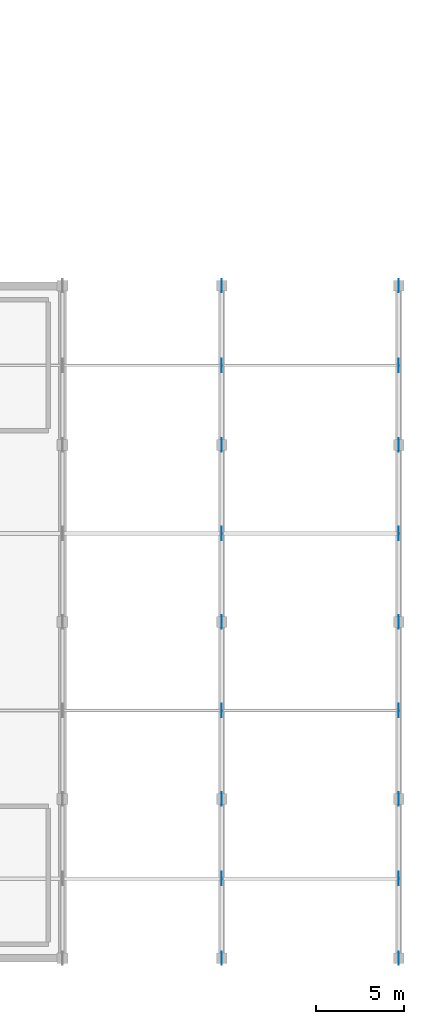
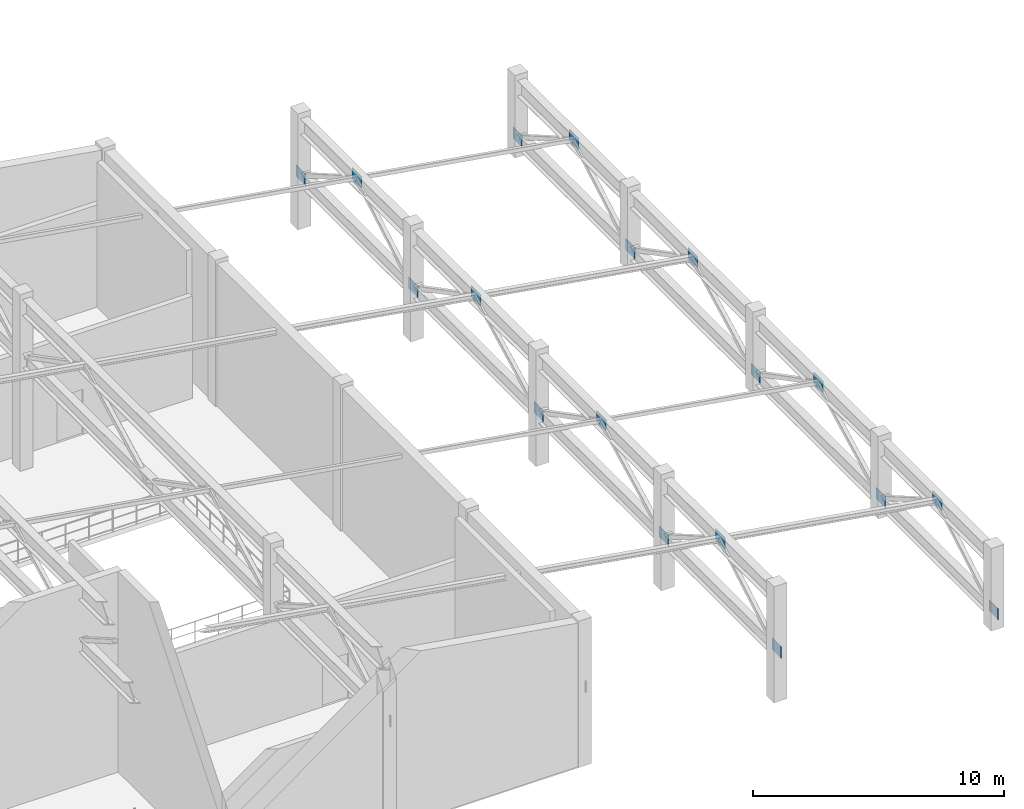
# One storey, part 60 of 68: 18 plates.
"""IFC4 building model written with IfcOpenShell, lengths in metres."""

from ifc_helpers import new_model, si_unit, direction, frame, origin, origin_2d, place, context, subcontext, project, spatial, rectangle, extrude, material, layer, layer_set, type_object, element, save


model = new_model("IFC4")

# Units and contexts
model_context = context("Model", 3, precision=1e-05, world=origin(), true_north=direction((0.0, 1.0)))
body_context = subcontext(model_context, "Body", "Model", "MODEL_VIEW")
ifc_project = project(units=[si_unit("LENGTHUNIT", "METRE"), si_unit("AREAUNIT", "SQUARE_METRE"), si_unit("VOLUMEUNIT", "CUBIC_METRE"), si_unit("PLANEANGLEUNIT", "RADIAN"), si_unit("MASSUNIT", "GRAM", prefix="KILO")], contexts=[model_context])

# Site, building, storey
site_placement = place(None, origin())
site = spatial("IfcSite", under=ifc_project, at=site_placement, CompositionType="ELEMENT")
building_placement = place(site_placement, origin())
building = spatial("IfcBuilding", under=site, at=building_placement, Name="Miravela Opera House", CompositionType="ELEMENT")
storey_placement = place(building_placement, frame((0.0, 0.0, 21.760009765625)))
storey = spatial("IfcBuildingStorey", under=building, at=storey_placement, Name="L05", CompositionType="ELEMENT", Elevation=21.760009765625)

# Plates
ifc_material = material(Name="Structural steel ASTM A572 Gr. 50", Category="steel")
ifc_layer = layer(ifc_material, 0.02001953125)
ifc_layer_set = layer_set([ifc_layer])
plate_type = type_object("IfcPlateType", Name="STR-PL-GUS-750X550X20", PredefinedType="USERDEFINED", material=ifc_layer_set)
for number, where, z_axis, x_axis, name in (
    (1, (144.0, 37.0, 2.12158203125), (0.0, 0.0, 1.0), (0.0, 1.0, 0.0), "Brace Node Gusset Plate 530"),
    (2, (144.0, 41.5, 4.72119140625), (0.0, 0.0, 1.0), (0.0, 1.0, 0.0), "Brace Node Gusset Plate 531"),
    (3, (144.0, 46.0, 2.12158203125), (0.0, 0.0, 1.0), (0.0, 1.0, 0.0), "Brace Node Gusset Plate 532"),
    (4, (144.0, 51.0, 4.72119140625), (0.0, 0.0, 1.0), (0.0, 1.0, 0.0), "Brace Node Gusset Plate 533"),
    (5, (144.0, 56.0, 2.12158203125), (0.0, 0.0, 1.0), (0.0, 1.0, 0.0), "Brace Node Gusset Plate 534"),
    (6, (144.0, 61.0, 4.72119140625), (0.0, 0.0, 1.0), (0.0, 1.0, 0.0), "Brace Node Gusset Plate 535"),
    (7, (144.0, 66.0, 2.12158203125), (0.0, 0.0, 1.0), (0.0, 1.0, 0.0), "Brace Node Gusset Plate 536"),
    (8, (144.0, 70.5, 4.72119140625), (0.0, 0.0, 1.0), (0.0, 1.0, 0.0), "Brace Node Gusset Plate 537"),
    (9, (144.0, 75.0, 2.12158203125), (0.0, 0.0, 1.0), (0.0, 1.0, 0.0), "Brace Node Gusset Plate 538"),
    (10, (154.0, 37.0, 0.48486328125), (0.0, 0.0, 1.0), (0.0, 1.0, 0.0), "Brace Node Gusset Plate 539"),
    (11, (154.0, 41.5, 3.0849609375), (0.0, 0.0, 1.0), (0.0, 1.0, 0.0), "Brace Node Gusset Plate 540"),
    (12, (154.0, 46.0, 0.48486328125), (0.0, 0.0, 1.0), (0.0, 1.0, 0.0), "Brace Node Gusset Plate 541"),
    (13, (154.0, 51.0, 3.0849609375), (0.0, 0.0, 1.0), (0.0, 1.0, 0.0), "Brace Node Gusset Plate 542"),
    (14, (154.0, 56.0, 0.48486328125), (0.0, 0.0, 1.0), (0.0, 1.0, 0.0), "Brace Node Gusset Plate 543"),
    (15, (154.0, 61.0, 3.0849609375), (0.0, 0.0, 1.0), (0.0, 1.0, 0.0), "Brace Node Gusset Plate 544"),
    (16, (154.0, 66.0, 0.48486328125), (0.0, 0.0, 1.0), (0.0, 1.0, 0.0), "Brace Node Gusset Plate 545"),
    (17, (154.0, 70.5, 3.0849609375), (0.0, 0.0, 1.0), (0.0, 1.0, 0.0), "Brace Node Gusset Plate 546"),
    (18, (154.0, 75.0, 0.48486328125), (0.0, 0.0, 1.0), (0.0, 1.0, 0.0), "Brace Node Gusset Plate 547"),
):
    element("IfcPlate", number, at=place(storey_placement, frame(where, z_axis=z_axis, x_axis=x_axis)), inside=storey, type_object=plate_type, Name=name, ObjectType="GUSSET PLATE", PredefinedType="USERDEFINED", context=body_context, shape_type="SweptSolid", body=[
        extrude(rectangle(XDim=0.75, YDim=0.02001953125, at=origin_2d()), origin(), (0.0, 0.0, 1.0), 0.550048828125),
    ])

save(model, "model.ifc")
